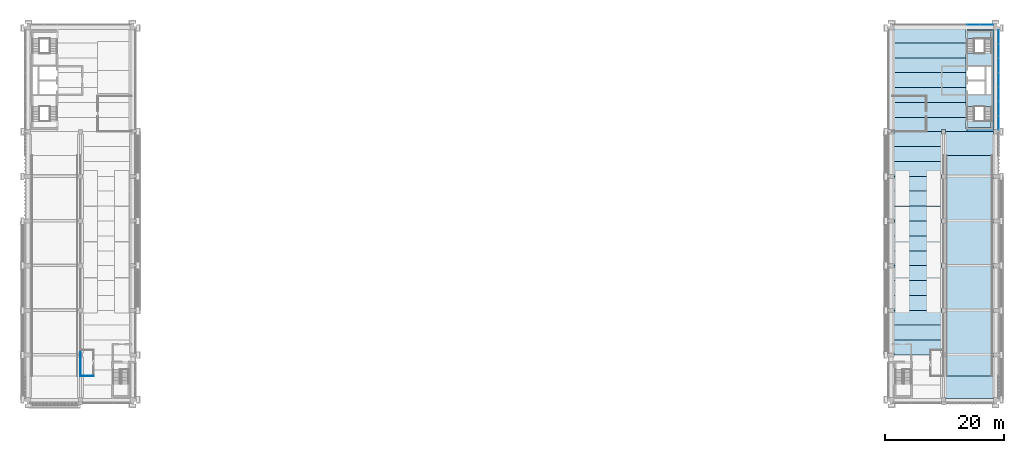
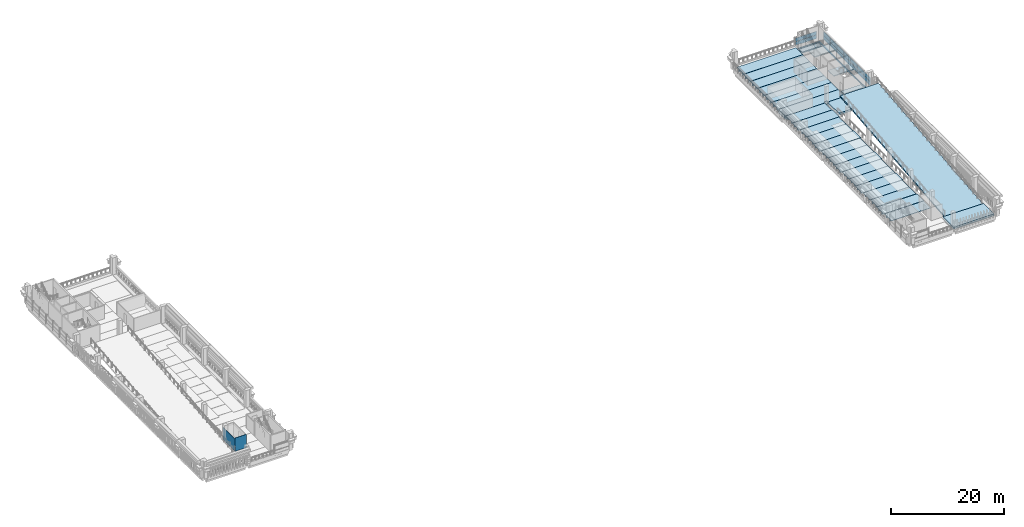
# One storey, part 8 of 25: 30 slabs, 18 plates, 2 walls, 4 elements without a shape of their own.
"""IFC4 building model written with IfcOpenShell, lengths in metres."""

from ifc_helpers import new_model, si_unit, direction, frame, frame_2d, origin, origin_2d, place, context, subcontext, project, spatial, polyline, rectangle, outline, extrude, material, layer, layer_set, material_profile, profile_set, type_object, element, aggregate, save


model = new_model("IFC4")

# Units and contexts
model_context = context("Model", 3, precision=1e-05, world=origin(), true_north=direction((0.0, 1.0)))
body_context = subcontext(model_context, "Body", "Model", "MODEL_VIEW")
ifc_project = project(units=[si_unit("LENGTHUNIT", "METRE"), si_unit("AREAUNIT", "SQUARE_METRE"), si_unit("VOLUMEUNIT", "CUBIC_METRE"), si_unit("PLANEANGLEUNIT", "RADIAN"), si_unit("MASSUNIT", "GRAM", prefix="KILO")], contexts=[model_context])

# Site, building, storey
site_placement = place(None, origin())
site = spatial("IfcSite", under=ifc_project, at=site_placement, CompositionType="ELEMENT")
building_placement = place(site_placement, origin())
building = spatial("IfcBuilding", under=site, at=building_placement, Name="Cour d'Honneur Mobility Palace", CompositionType="ELEMENT")
storey_placement = place(building_placement, frame((0.0, 0.0, 30.39990234375)))
storey = spatial("IfcBuildingStorey", under=building, at=storey_placement, Name="L08", CompositionType="ELEMENT", Elevation=30.39990234375)

# Slabs
ifc_material_1 = material(Name="Concrete C50", Category="concrete")
ifc_layer_1 = layer(ifc_material_1, 0.25)
ifc_layer_set_1 = layer_set([ifc_layer_1], Name="Concrete C50")
slab_type_1 = type_object("IfcSlabType", Name="Cast-in-place Slab 250", PredefinedType="FLOOR", material=ifc_layer_set_1)
slab_1_placement = place(storey_placement, frame((0.0, 0.0, -0.25)))
element("IfcSlab", 1, at=slab_1_placement, inside=storey, type_object=slab_type_1, Name="Cast-in-place slab S1 L08 core", PredefinedType="FLOOR", context=body_context, shape_type="SweptSolid", body=[
    extrude(outline(polyline([(161.949951171875, 62.050048828125), (162.050048828125, 62.050048828125), (162.050048828125, 45.35009765625), (161.949951171875, 45.35009765625), (161.949951171875, 45.0), (157.5, 45.0), (157.5, 45.449951171875), (161.85009765625, 45.449951171875), (161.85009765625, 61.949951171875), (157.5, 61.949951171875), (157.5, 62.125), (161.949951171875, 62.125), (161.949951171875, 62.050048828125)])), origin(), (0.0, 0.0, 1.0), 0.25),
])
slab_2_placement = place(storey_placement, frame((0.0, 0.0, -0.25)))
element("IfcSlab", 2, at=slab_2_placement, inside=storey, type_object=slab_type_1, Name="Cast-in-place slab S1 L08 core", PredefinedType="FLOOR", context=body_context, shape_type="SweptSolid", body=[
    extrude(outline(polyline([(157.625, 46.77490234375), (161.60009765625, 46.77490234375), (161.60009765625, 45.699951171875), (157.625, 45.699951171875), (157.625, 46.77490234375)])), origin(), (0.0, 0.0, 1.0), 0.25),
])
slab_3_placement = place(storey_placement, frame((0.0, 0.0, -0.25)))
element("IfcSlab", 3, at=slab_3_placement, inside=storey, type_object=slab_type_1, Name="Cast-in-place slab S1 L08 core", PredefinedType="FLOOR", context=body_context, shape_type="SweptSolid", body=[
    extrude(outline(polyline([(161.60009765625, 60.625), (157.625, 60.625), (157.625, 61.699951171875), (161.60009765625, 61.699951171875), (161.60009765625, 60.625)])), origin(), (0.0, 0.0, 1.0), 0.25),
])
ifc_material_2 = material(Name="Concrete C50", Category="concrete")
ifc_layer_2 = layer(ifc_material_2, 0.39990234375)
ifc_layer_set_2 = layer_set([ifc_layer_2], Name="Concrete C50")
slab_type_2 = type_object("IfcSlabType", Name="Cast-in-place Slab 400", PredefinedType="LANDING", material=ifc_layer_set_2)
slab_4_placement = place(storey_placement, frame((0.0, 0.0, -0.39990234375)))
element("IfcSlab", 4, at=slab_4_placement, inside=storey, type_object=slab_type_2, Name="Cast-in-place slab S3 L08 landing", PredefinedType="LANDING", context=body_context, shape_type="SweptSolid", body=[
    extrude(outline(polyline([(161.949951171875, 0.35009765625), (161.949951171875, 0.22509765625), (153.949951171875, 0.22509765625), (153.949951171875, 0.35009765625), (153.800048828125, 0.35009765625), (153.800048828125, 4.0), (162.10009765625, 4.0), (162.10009765625, 0.35009765625), (161.949951171875, 0.35009765625)])), origin(), (0.0, 0.0, 1.0), 0.39990234375),
])
slab_5_placement = place(storey_placement, frame((0.0, 0.0, -0.39990234375)))
element("IfcSlab", 5, at=slab_5_placement, inside=storey, type_object=slab_type_2, Name="Cast-in-place slab S3 L08 landing", PredefinedType="LANDING", context=body_context, shape_type="SweptSolid", body=[
    extrude(outline(polyline([(162.10009765625, 44.64990234375), (162.10009765625, 41.0), (153.800048828125, 41.0), (153.800048828125, 44.64990234375), (153.949951171875, 44.64990234375), (153.949951171875, 45.0), (161.949951171875, 45.0), (161.949951171875, 44.64990234375), (162.10009765625, 44.64990234375)])), origin(), (0.0, 0.0, 1.0), 0.39990234375),
])
ifc_material_3 = material(Name="Concrete C50", Category="concrete")
ifc_layer_3 = layer(ifc_material_3, 0.800048828125)
ifc_layer_set_3 = layer_set([ifc_layer_3], Name="Concrete C50")
slab_type_3 = type_object("IfcSlabType", Name="Cast-in-place Slab 800", PredefinedType="FLOOR", material=ifc_layer_set_3)
slab_6_placement = place(storey_placement, frame((0.0, 0.0, -0.7998046875)))
element("IfcSlab", 6, at=slab_6_placement, inside=storey, type_object=slab_type_3, Name="Cast-in-place slab S2 L08 closure", PredefinedType="FLOOR", context=body_context, shape_type="SweptSolid", body=[
    extrude(outline(polyline([(153.949951171875, 45.35009765625), (153.25, 45.35009765625), (153.25, 45.0), (145.25, 45.0), (145.25, 45.35009765625), (145.14990234375, 45.35009765625), (145.14990234375, 47.39990234375), (157.375, 47.39990234375), (157.375, 45.449951171875), (157.5, 45.449951171875), (157.5, 45.0), (153.949951171875, 45.0), (153.949951171875, 45.35009765625)])), origin(), (0.0, 0.0, 1.0), 0.7998046875),
])

# Curtain wall, plates
ifc_material_4 = material(Name="Aluminium and glass", Category="aluminium")
ifc_layer_4 = layer(ifc_material_4, 0.10009765625)
ifc_layer_set_4 = layer_set([ifc_layer_4], Name="Aluminium and glass")
curtain_wall_type = type_object("IfcCurtainWallType", Name="Curtain wall run", PredefinedType="NOTDEFINED", material=ifc_layer_set_4)
curtain_wall_1_placement = place(storey_placement, origin())
curtain_wall_1 = element("IfcCurtainWall", 7, at=curtain_wall_1_placement, inside=storey, type_object=curtain_wall_type, Name="Curtain wall CW-97", PredefinedType="NOTDEFINED")
ifc_material_5 = material(Name="Double glazing", Category="glass")
ifc_layer_5 = layer(ifc_material_5, 0.028076171875)
ifc_layer_set_5 = layer_set([ifc_layer_5], Name="Double glazing")
plate_type = type_object("IfcPlateType", Name="Curtain wall panel", PredefinedType="CURTAIN_PANEL", material=ifc_layer_set_5)
plate_1_placement = place(storey_placement, frame((162.85009765625, 46.514892578125, 0.06005859375), z_axis=(0.0, 0.0, 1.0), x_axis=(0.0, 1.0, 0.0)))
plate_1 = element("IfcPlate", 8, at=plate_1_placement, type_object=plate_type, Name="CW-97 panel 1.1", PredefinedType="CURTAIN_PANEL", context=body_context, shape_type="SweptSolid", body=[
    extrude(rectangle(XDim=2.31005859375, YDim=0.028076171875, at=origin_2d()), origin(), (0.0, 0.0, 1.0), 0.860107421875),
])
plate_2_placement = place(storey_placement, frame((162.85009765625, 46.514892578125, 0.97998046875), z_axis=(0.0, 0.0, 1.0), x_axis=(0.0, 1.0, 0.0)))
plate_2 = element("IfcPlate", 9, at=plate_2_placement, type_object=plate_type, Name="CW-97 panel 1.2", PredefinedType="CURTAIN_PANEL", context=body_context, shape_type="SweptSolid", body=[
    extrude(rectangle(XDim=2.31005859375, YDim=0.028076171875, at=origin_2d()), origin(), (0.0, 0.0, 1.0), 0.860107421875),
])
plate_3_placement = place(storey_placement, frame((162.85009765625, 48.89990234375, 0.06005859375), z_axis=(0.0, 0.0, 1.0), x_axis=(0.0, 1.0, 0.0)))
plate_3 = element("IfcPlate", 10, at=plate_3_placement, type_object=plate_type, Name="CW-97 panel 2.1", PredefinedType="CURTAIN_PANEL", context=body_context, shape_type="SweptSolid", body=[
    extrude(rectangle(XDim=2.340087890625, YDim=0.028076171875, at=origin_2d()), origin(), (0.0, 0.0, 1.0), 0.860107421875),
])
plate_4_placement = place(storey_placement, frame((162.85009765625, 48.89990234375, 0.97998046875), z_axis=(0.0, 0.0, 1.0), x_axis=(0.0, 1.0, 0.0)))
plate_4 = element("IfcPlate", 11, at=plate_4_placement, type_object=plate_type, Name="CW-97 panel 2.2", PredefinedType="CURTAIN_PANEL", context=body_context, shape_type="SweptSolid", body=[
    extrude(rectangle(XDim=2.340087890625, YDim=0.028076171875, at=origin_2d()), origin(), (0.0, 0.0, 1.0), 0.860107421875),
])
plate_5_placement = place(storey_placement, frame((162.85009765625, 51.300048828125, 0.06005859375), z_axis=(0.0, 0.0, 1.0), x_axis=(0.0, 1.0, 0.0)))
plate_5 = element("IfcPlate", 12, at=plate_5_placement, type_object=plate_type, Name="CW-97 panel 3.1", PredefinedType="CURTAIN_PANEL", context=body_context, shape_type="SweptSolid", body=[
    extrude(rectangle(XDim=2.340087890625, YDim=0.028076171875, at=origin_2d()), origin(), (0.0, 0.0, 1.0), 0.860107421875),
])
plate_6_placement = place(storey_placement, frame((162.85009765625, 51.300048828125, 0.97998046875), z_axis=(0.0, 0.0, 1.0), x_axis=(0.0, 1.0, 0.0)))
plate_6 = element("IfcPlate", 13, at=plate_6_placement, type_object=plate_type, Name="CW-97 panel 3.2", PredefinedType="CURTAIN_PANEL", context=body_context, shape_type="SweptSolid", body=[
    extrude(rectangle(XDim=2.340087890625, YDim=0.028076171875, at=origin_2d()), origin(), (0.0, 0.0, 1.0), 0.860107421875),
])
plate_7_placement = place(storey_placement, frame((162.85009765625, 53.699951171875, 0.06005859375), z_axis=(0.0, 0.0, 1.0), x_axis=(0.0, 1.0, 0.0)))
plate_7 = element("IfcPlate", 14, at=plate_7_placement, type_object=plate_type, Name="CW-97 panel 4.1", PredefinedType="CURTAIN_PANEL", context=body_context, shape_type="SweptSolid", body=[
    extrude(rectangle(XDim=2.340087890625, YDim=0.028076171875, at=origin_2d()), origin(), (0.0, 0.0, 1.0), 0.860107421875),
])
plate_8_placement = place(storey_placement, frame((162.85009765625, 53.699951171875, 0.97998046875), z_axis=(0.0, 0.0, 1.0), x_axis=(0.0, 1.0, 0.0)))
plate_8 = element("IfcPlate", 15, at=plate_8_placement, type_object=plate_type, Name="CW-97 panel 4.2", PredefinedType="CURTAIN_PANEL", context=body_context, shape_type="SweptSolid", body=[
    extrude(rectangle(XDim=2.340087890625, YDim=0.028076171875, at=origin_2d()), origin(), (0.0, 0.0, 1.0), 0.860107421875),
])
plate_9_placement = place(storey_placement, frame((162.85009765625, 56.10009765625, 0.06005859375), z_axis=(0.0, 0.0, 1.0), x_axis=(0.0, 1.0, 0.0)))
plate_9 = element("IfcPlate", 16, at=plate_9_placement, type_object=plate_type, Name="CW-97 panel 5.1", PredefinedType="CURTAIN_PANEL", context=body_context, shape_type="SweptSolid", body=[
    extrude(rectangle(XDim=2.340087890625, YDim=0.028076171875, at=origin_2d()), origin(), (0.0, 0.0, 1.0), 0.860107421875),
])
plate_10_placement = place(storey_placement, frame((162.85009765625, 56.10009765625, 0.97998046875), z_axis=(0.0, 0.0, 1.0), x_axis=(0.0, 1.0, 0.0)))
plate_10 = element("IfcPlate", 17, at=plate_10_placement, type_object=plate_type, Name="CW-97 panel 5.2", PredefinedType="CURTAIN_PANEL", context=body_context, shape_type="SweptSolid", body=[
    extrude(rectangle(XDim=2.340087890625, YDim=0.028076171875, at=origin_2d()), origin(), (0.0, 0.0, 1.0), 0.860107421875),
])
plate_11_placement = place(storey_placement, frame((162.85009765625, 58.5, 0.06005859375), z_axis=(0.0, 0.0, 1.0), x_axis=(0.0, 1.0, 0.0)))
plate_11 = element("IfcPlate", 18, at=plate_11_placement, type_object=plate_type, Name="CW-97 panel 6.1", PredefinedType="CURTAIN_PANEL", context=body_context, shape_type="SweptSolid", body=[
    extrude(rectangle(XDim=2.340087890625, YDim=0.028076171875, at=origin_2d()), origin(), (0.0, 0.0, 1.0), 0.860107421875),
])
plate_12_placement = place(storey_placement, frame((162.85009765625, 58.5, 0.97998046875), z_axis=(0.0, 0.0, 1.0), x_axis=(0.0, 1.0, 0.0)))
plate_12 = element("IfcPlate", 19, at=plate_12_placement, type_object=plate_type, Name="CW-97 panel 6.2", PredefinedType="CURTAIN_PANEL", context=body_context, shape_type="SweptSolid", body=[
    extrude(rectangle(XDim=2.340087890625, YDim=0.028076171875, at=origin_2d()), origin(), (0.0, 0.0, 1.0), 0.860107421875),
])
plate_13_placement = place(storey_placement, frame((162.85009765625, 60.885009765625, 0.06005859375), z_axis=(0.0, 0.0, 1.0), x_axis=(0.0, 1.0, 0.0)))
plate_13 = element("IfcPlate", 20, at=plate_13_placement, type_object=plate_type, Name="CW-97 panel 7.1", PredefinedType="CURTAIN_PANEL", context=body_context, shape_type="SweptSolid", body=[
    extrude(rectangle(XDim=2.31005859375, YDim=0.028076171875, at=origin_2d()), origin(), (0.0, 0.0, 1.0), 0.860107421875),
])
plate_14_placement = place(storey_placement, frame((162.85009765625, 60.885009765625, 0.97998046875), z_axis=(0.0, 0.0, 1.0), x_axis=(0.0, 1.0, 0.0)))
plate_14 = element("IfcPlate", 21, at=plate_14_placement, type_object=plate_type, Name="CW-97 panel 7.2", PredefinedType="CURTAIN_PANEL", context=body_context, shape_type="SweptSolid", body=[
    extrude(rectangle(XDim=2.31005859375, YDim=0.028076171875, at=origin_2d()), origin(), (0.0, 0.0, 1.0), 0.860107421875),
])
aggregate(curtain_wall_1, [plate_1, plate_2, plate_3, plate_4, plate_5, plate_6, plate_7, plate_8, plate_9, plate_10, plate_11, plate_12, plate_13, plate_14])

curtain_wall_2_placement = place(storey_placement, origin())
curtain_wall_2 = element("IfcCurtainWall", 22, at=curtain_wall_2_placement, inside=storey, type_object=curtain_wall_type, Name="Curtain wall CW-98", PredefinedType="NOTDEFINED")
plate_15_placement = place(storey_placement, frame((160.860107421875, 62.949951171875, 0.06005859375), z_axis=(0.0, 0.0, 1.0), x_axis=(-1.0, 0.0, 0.0)))
plate_15 = element("IfcPlate", 23, at=plate_15_placement, type_object=plate_type, Name="CW-98 panel 1.1", PredefinedType="CURTAIN_PANEL", context=body_context, shape_type="SweptSolid", body=[
    extrude(rectangle(XDim=2.159912109375, YDim=0.028076171875, at=origin_2d()), origin(), (0.0, 0.0, 1.0), 0.760009765625),
])
plate_16_placement = place(storey_placement, frame((160.860107421875, 62.949951171875, 0.8798828125), z_axis=(0.0, 0.0, 1.0), x_axis=(-1.0, 0.0, 0.0)))
plate_16 = element("IfcPlate", 24, at=plate_16_placement, type_object=plate_type, Name="CW-98 panel 1.2", PredefinedType="CURTAIN_PANEL", context=body_context, shape_type="SweptSolid", body=[
    extrude(rectangle(XDim=2.159912109375, YDim=0.028076171875, at=origin_2d()), origin(), (0.0, 0.0, 1.0), 0.760009765625),
])
plate_17_placement = place(storey_placement, frame((158.639892578125, 62.949951171875, 0.06005859375), z_axis=(0.0, 0.0, 1.0), x_axis=(-1.0, 0.0, 0.0)))
plate_17 = element("IfcPlate", 25, at=plate_17_placement, type_object=plate_type, Name="CW-98 panel 2.1", PredefinedType="CURTAIN_PANEL", context=body_context, shape_type="SweptSolid", body=[
    extrude(rectangle(XDim=2.159912109375, YDim=0.028076171875, at=origin_2d()), origin(), (0.0, 0.0, 1.0), 0.760009765625),
])
plate_18_placement = place(storey_placement, frame((158.639892578125, 62.949951171875, 0.8798828125), z_axis=(0.0, 0.0, 1.0), x_axis=(-1.0, 0.0, 0.0)))
plate_18 = element("IfcPlate", 26, at=plate_18_placement, type_object=plate_type, Name="CW-98 panel 2.2", PredefinedType="CURTAIN_PANEL", context=body_context, shape_type="SweptSolid", body=[
    extrude(rectangle(XDim=2.159912109375, YDim=0.028076171875, at=origin_2d()), origin(), (0.0, 0.0, 1.0), 0.760009765625),
])
aggregate(curtain_wall_2, [plate_15, plate_16, plate_17, plate_18])

# Slabs
ifc_material_6 = material(Name="Concrete C45", Category="concrete")
ifc_material_profile_1 = material_profile(ifc_material_6, outline(polyline([(-1.2451171875, 0.0), (1.2451171875, 0.0), (1.2451171875, -0.10009765625), (0.669921875, -0.10009765625), (0.64501953125, -0.5), (0.554931640625, -0.5), (0.530029296875, -0.10009765625), (-0.530029296875, -0.10009765625), (-0.554931640625, -0.5), (-0.64501953125, -0.5), (-0.669921875, -0.10009765625), (-1.2451171875, -0.10009765625), (-1.2451171875, 0.0)])), Name="DT 2490x500")
ifc_profile_set_1 = profile_set([ifc_material_profile_1], Name="Concrete C45")
slab_type_4 = type_object("IfcSlabType", Name="DT 2490x500", PredefinedType="FLOOR", material=ifc_profile_set_1)
slab_7_placement = place(storey_placement, frame((145.25, 8.75, 0.0), z_axis=(1.0, 0.0, 0.0), x_axis=(0.0, 1.0, 0.0)))
element("IfcSlab", 27, at=slab_7_placement, inside=storey, type_object=slab_type_4, Name="Double tee DT-SE4 L08", PredefinedType="FLOOR", context=body_context, shape_type="SweptSolid", body=[
    extrude(outline(polyline([(-1.2451171875, 0.0), (1.2451171875, 0.0), (1.2451171875, -0.10009765625), (0.669921875, -0.10009765625), (0.64501953125, -0.5), (0.554931640625, -0.5), (0.530029296875, -0.10009765625), (-0.530029296875, -0.10009765625), (-0.554931640625, -0.5), (-0.64501953125, -0.5), (-0.669921875, -0.10009765625), (-1.2451171875, -0.10009765625), (-1.2451171875, 0.0)])), origin(), (0.0, 0.0, 1.0), 8.0),
])
slab_8_placement = place(storey_placement, frame((145.10009765625, 11.25, 0.0), z_axis=(1.0, 0.0, 0.0), x_axis=(0.0, 1.0, 0.0)))
element("IfcSlab", 28, at=slab_8_placement, inside=storey, type_object=slab_type_4, Name="Double tee DT-SE5 L08", PredefinedType="FLOOR", context=body_context, shape_type="SweptSolid", body=[
    extrude(outline(polyline([(-1.2451171875, 0.0), (1.2451171875, 0.0), (1.2451171875, -0.10009765625), (0.669921875, -0.10009765625), (0.64501953125, -0.5), (0.554931640625, -0.5), (0.530029296875, -0.10009765625), (-0.530029296875, -0.10009765625), (-0.554931640625, -0.5), (-0.64501953125, -0.5), (-0.669921875, -0.10009765625), (-1.2451171875, -0.10009765625), (-1.2451171875, 0.0)])), origin(), (0.0, 0.0, 1.0), 8.2998046875),
])
for number, where, z_axis, x_axis, name in (
    (29, (145.25, 13.75, 0.0), (1.0, 0.0, 0.0), (0.0, 1.0, 0.0), "Double tee DT-SE6 L08"),
    (30, (145.25, 16.25, 0.0), (1.0, 0.0, 0.0), (0.0, 1.0, 0.0), "Double tee DT-SE7 L08"),
):
    element("IfcSlab", number, at=place(storey_placement, frame(where, z_axis=z_axis, x_axis=x_axis)), inside=storey, type_object=slab_type_4, Name=name, PredefinedType="FLOOR", context=body_context, shape_type="SweptSolid", body=[
        extrude(outline(polyline([(-1.2451171875, 0.0), (1.2451171875, 0.0), (1.2451171875, -0.10009765625), (0.669921875, -0.10009765625), (0.64501953125, -0.5), (0.554931640625, -0.5), (0.530029296875, -0.10009765625), (-0.530029296875, -0.10009765625), (-0.554931640625, -0.5), (-0.64501953125, -0.5), (-0.669921875, -0.10009765625), (-1.2451171875, -0.10009765625), (-1.2451171875, 0.0)])), origin(), (0.0, 0.0, 1.0), 8.0),
    ])
slab_9_placement = place(storey_placement, frame((145.10009765625, 18.75, 0.0), z_axis=(1.0, 0.0, 0.0), x_axis=(0.0, 1.0, 0.0)))
element("IfcSlab", 31, at=slab_9_placement, inside=storey, type_object=slab_type_4, Name="Double tee DT-SE8 L08", PredefinedType="FLOOR", context=body_context, shape_type="SweptSolid", body=[
    extrude(outline(polyline([(-1.2451171875, 0.0), (1.2451171875, 0.0), (1.2451171875, -0.10009765625), (0.669921875, -0.10009765625), (0.64501953125, -0.5), (0.554931640625, -0.5), (0.530029296875, -0.10009765625), (-0.530029296875, -0.10009765625), (-0.554931640625, -0.5), (-0.64501953125, -0.5), (-0.669921875, -0.10009765625), (-1.2451171875, -0.10009765625), (-1.2451171875, 0.0)])), origin(), (0.0, 0.0, 1.0), 8.2998046875),
])
for number, where, z_axis, x_axis, name in (
    (32, (145.25, 21.25, 0.0), (1.0, 0.0, 0.0), (0.0, 1.0, 0.0), "Double tee DT-SE9 L08"),
    (33, (145.25, 23.75, 0.0), (1.0, 0.0, 0.0), (0.0, 1.0, 0.0), "Double tee DT-SE10 L08"),
):
    element("IfcSlab", number, at=place(storey_placement, frame(where, z_axis=z_axis, x_axis=x_axis)), inside=storey, type_object=slab_type_4, Name=name, PredefinedType="FLOOR", context=body_context, shape_type="SweptSolid", body=[
        extrude(outline(polyline([(-1.2451171875, 0.0), (1.2451171875, 0.0), (1.2451171875, -0.10009765625), (0.669921875, -0.10009765625), (0.64501953125, -0.5), (0.554931640625, -0.5), (0.530029296875, -0.10009765625), (-0.530029296875, -0.10009765625), (-0.554931640625, -0.5), (-0.64501953125, -0.5), (-0.669921875, -0.10009765625), (-1.2451171875, -0.10009765625), (-1.2451171875, 0.0)])), origin(), (0.0, 0.0, 1.0), 8.0),
    ])
slab_10_placement = place(storey_placement, frame((145.10009765625, 26.25, 0.0), z_axis=(1.0, 0.0, 0.0), x_axis=(0.0, 1.0, 0.0)))
element("IfcSlab", 34, at=slab_10_placement, inside=storey, type_object=slab_type_4, Name="Double tee DT-SE11 L08", PredefinedType="FLOOR", context=body_context, shape_type="SweptSolid", body=[
    extrude(outline(polyline([(-1.2451171875, 0.0), (1.2451171875, 0.0), (1.2451171875, -0.10009765625), (0.669921875, -0.10009765625), (0.64501953125, -0.5), (0.554931640625, -0.5), (0.530029296875, -0.10009765625), (-0.530029296875, -0.10009765625), (-0.554931640625, -0.5), (-0.64501953125, -0.5), (-0.669921875, -0.10009765625), (-1.2451171875, -0.10009765625), (-1.2451171875, 0.0)])), origin(), (0.0, 0.0, 1.0), 8.2998046875),
])
for number, where, z_axis, x_axis, name in (
    (35, (145.25, 28.75, 0.0), (1.0, 0.0, 0.0), (0.0, 1.0, 0.0), "Double tee DT-SE12 L08"),
    (36, (145.25, 31.25, 0.0), (1.0, 0.0, 0.0), (0.0, 1.0, 0.0), "Double tee DT-SE13 L08"),
):
    element("IfcSlab", number, at=place(storey_placement, frame(where, z_axis=z_axis, x_axis=x_axis)), inside=storey, type_object=slab_type_4, Name=name, PredefinedType="FLOOR", context=body_context, shape_type="SweptSolid", body=[
        extrude(outline(polyline([(-1.2451171875, 0.0), (1.2451171875, 0.0), (1.2451171875, -0.10009765625), (0.669921875, -0.10009765625), (0.64501953125, -0.5), (0.554931640625, -0.5), (0.530029296875, -0.10009765625), (-0.530029296875, -0.10009765625), (-0.554931640625, -0.5), (-0.64501953125, -0.5), (-0.669921875, -0.10009765625), (-1.2451171875, -0.10009765625), (-1.2451171875, 0.0)])), origin(), (0.0, 0.0, 1.0), 8.0),
    ])
slab_11_placement = place(storey_placement, frame((145.10009765625, 33.75, 0.0), z_axis=(1.0, 0.0, 0.0), x_axis=(0.0, 1.0, 0.0)))
element("IfcSlab", 37, at=slab_11_placement, inside=storey, type_object=slab_type_4, Name="Double tee DT-SE14 L08", PredefinedType="FLOOR", context=body_context, shape_type="SweptSolid", body=[
    extrude(outline(polyline([(-1.2451171875, 0.0), (1.2451171875, 0.0), (1.2451171875, -0.10009765625), (0.669921875, -0.10009765625), (0.64501953125, -0.5), (0.554931640625, -0.5), (0.530029296875, -0.10009765625), (-0.530029296875, -0.10009765625), (-0.554931640625, -0.5), (-0.64501953125, -0.5), (-0.669921875, -0.10009765625), (-1.2451171875, -0.10009765625), (-1.2451171875, 0.0)])), origin(), (0.0, 0.0, 1.0), 8.2998046875),
])
for number, where, z_axis, x_axis, name in (
    (38, (145.25, 36.25, 0.0), (1.0, 0.0, 0.0), (0.0, 1.0, 0.0), "Double tee DT-SE15 L08"),
    (39, (145.25, 38.75, 0.0), (1.0, 0.0, 0.0), (0.0, 1.0, 0.0), "Double tee DT-SE16 L08"),
):
    element("IfcSlab", number, at=place(storey_placement, frame(where, z_axis=z_axis, x_axis=x_axis)), inside=storey, type_object=slab_type_4, Name=name, PredefinedType="FLOOR", context=body_context, shape_type="SweptSolid", body=[
        extrude(outline(polyline([(-1.2451171875, 0.0), (1.2451171875, 0.0), (1.2451171875, -0.10009765625), (0.669921875, -0.10009765625), (0.64501953125, -0.5), (0.554931640625, -0.5), (0.530029296875, -0.10009765625), (-0.530029296875, -0.10009765625), (-0.554931640625, -0.5), (-0.64501953125, -0.5), (-0.669921875, -0.10009765625), (-1.2451171875, -0.10009765625), (-1.2451171875, 0.0)])), origin(), (0.0, 0.0, 1.0), 8.0),
    ])
slab_12_placement = place(storey_placement, frame((145.10009765625, 41.25, 0.0), z_axis=(1.0, 0.0, 0.0), x_axis=(0.0, 1.0, 0.0)))
element("IfcSlab", 40, at=slab_12_placement, inside=storey, type_object=slab_type_4, Name="Double tee DT-SE17 L08", PredefinedType="FLOOR", context=body_context, shape_type="SweptSolid", body=[
    extrude(outline(polyline([(-1.2451171875, 0.0), (1.2451171875, 0.0), (1.2451171875, -0.10009765625), (0.669921875, -0.10009765625), (0.64501953125, -0.5), (0.554931640625, -0.5), (0.530029296875, -0.10009765625), (-0.530029296875, -0.10009765625), (-0.554931640625, -0.5), (-0.64501953125, -0.5), (-0.669921875, -0.10009765625), (-1.2451171875, -0.10009765625), (-1.2451171875, 0.0)])), origin(), (0.0, 0.0, 1.0), 8.2998046875),
])
slab_13_placement = place(storey_placement, frame((145.25, 43.75, 0.0), z_axis=(1.0, 0.0, 0.0), x_axis=(0.0, 1.0, 0.0)))
element("IfcSlab", 41, at=slab_13_placement, inside=storey, type_object=slab_type_4, Name="Double tee DT-SE18 L08", PredefinedType="FLOOR", context=body_context, shape_type="SweptSolid", body=[
    extrude(outline(polyline([(-1.2451171875, 0.0), (1.2451171875, 0.0), (1.2451171875, -0.10009765625), (0.669921875, -0.10009765625), (0.64501953125, -0.5), (0.554931640625, -0.5), (0.530029296875, -0.10009765625), (-0.530029296875, -0.10009765625), (-0.554931640625, -0.5), (-0.64501953125, -0.5), (-0.669921875, -0.10009765625), (-1.2451171875, -0.10009765625), (-1.2451171875, 0.0)])), origin(), (0.0, 0.0, 1.0), 8.0),
])
ifc_material_7 = material(Name="Concrete C45", Category="concrete")
ifc_material_profile_2 = material_profile(ifc_material_7, outline(polyline([(-1.2451171875, 0.0), (1.2451171875, 0.0), (1.2451171875, -0.10009765625), (0.679931640625, -0.10009765625), (0.64990234375, -0.64990234375), (0.550048828125, -0.64990234375), (0.52001953125, -0.10009765625), (-0.52001953125, -0.10009765625), (-0.550048828125, -0.64990234375), (-0.64990234375, -0.64990234375), (-0.679931640625, -0.10009765625), (-1.2451171875, -0.10009765625), (-1.2451171875, 0.0)])), Name="DT 2490x650")
ifc_profile_set_2 = profile_set([ifc_material_profile_2], Name="Concrete C45")
slab_type_5 = type_object("IfcSlabType", Name="DT 2490x650", PredefinedType="FLOOR", material=ifc_profile_set_2)
for number, where, z_axis, x_axis, name in (
    (42, (145.14990234375, 48.64990234375, 0.0), (1.0, 0.0, 0.0), (0.0, 1.0, 0.0), "Double tee DT-JE1 L08"),
    (43, (145.14990234375, 51.14990234375, 0.0), (1.0, 0.0, 0.0), (0.0, 1.0, 0.0), "Double tee DT-JE2 L08"),
    (44, (145.14990234375, 53.64990234375, 0.0), (1.0, 0.0, 0.0), (0.0, 1.0, 0.0), "Double tee DT-JE3 L08"),
    (45, (145.14990234375, 56.14990234375, 0.0), (1.0, 0.0, 0.0), (0.0, 1.0, 0.0), "Double tee DT-JE4 L08"),
    (46, (145.14990234375, 58.64990234375, 0.0), (1.0, 0.0, 0.0), (0.0, 1.0, 0.0), "Double tee DT-JE5 L08"),
):
    element("IfcSlab", number, at=place(storey_placement, frame(where, z_axis=z_axis, x_axis=x_axis)), inside=storey, type_object=slab_type_5, Name=name, PredefinedType="FLOOR", context=body_context, shape_type="SweptSolid", body=[
        extrude(outline(polyline([(-1.2451171875, 0.0), (1.2451171875, 0.0), (1.2451171875, -0.10009765625), (0.679931640625, -0.10009765625), (0.64990234375, -0.64990234375), (0.550048828125, -0.64990234375), (0.52001953125, -0.10009765625), (-0.52001953125, -0.10009765625), (-0.550048828125, -0.64990234375), (-0.64990234375, -0.64990234375), (-0.679931640625, -0.10009765625), (-1.2451171875, -0.10009765625), (-1.2451171875, 0.0)])), origin(), (0.0, 0.0, 1.0), 12.22509765625),
    ])
slab_14_placement = place(storey_placement, frame((145.25, 61.14990234375, 0.0), z_axis=(1.0, 0.0, 0.0), x_axis=(0.0, 1.0, 0.0)))
element("IfcSlab", 47, at=slab_14_placement, inside=storey, type_object=slab_type_5, Name="Double tee DT-JE6 L08", PredefinedType="FLOOR", context=body_context, shape_type="SweptSolid", body=[
    extrude(outline(polyline([(-1.2451171875, 0.0), (1.2451171875, 0.0), (1.2451171875, -0.10009765625), (0.679931640625, -0.10009765625), (0.64990234375, -0.64990234375), (0.550048828125, -0.64990234375), (0.52001953125, -0.10009765625), (-0.52001953125, -0.10009765625), (-0.550048828125, -0.64990234375), (-0.64990234375, -0.64990234375), (-0.679931640625, -0.10009765625), (-1.2451171875, -0.10009765625), (-1.2451171875, 0.0)])), origin(), (0.0, 0.0, 1.0), 12.125),
])

# Stair, slab
ifc_material_8 = material(Name="Concrete C50", Category="concrete")
stair_type = type_object("IfcStairType", Name="Stair 20 risers", PredefinedType="HALF_TURN_STAIR", material=ifc_material_8)
stair_1_placement = place(storey_placement, origin())
stair_1 = element("IfcStair", 48, at=stair_1_placement, inside=storey, type_object=stair_type, Name="Stair ST-CE1", PredefinedType="HALF_TURN_STAIR")
ifc_material_9 = material(Name="Concrete C50", Category="concrete")
ifc_layer_6 = layer(ifc_material_9, 0.199951171875)
ifc_layer_set_6 = layer_set([ifc_layer_6], Name="Concrete C50")
slab_type_6 = type_object("IfcSlabType", Name="Stair landing", PredefinedType="LANDING", material=ifc_layer_set_6)
slab_15_placement = place(storey_placement, frame((0.0, 0.0, 1.650146484375)))
slab_15 = element("IfcSlab", 49, at=slab_15_placement, type_object=slab_type_6, Name="ST-CE1 landing 1", PredefinedType="LANDING", context=body_context, shape_type="SweptSolid", body=[
    extrude(outline(polyline([(157.5, 49.205078125), (161.72509765625, 49.205078125), (161.72509765625, 51.199951171875), (157.5, 51.199951171875), (157.5, 49.205078125)])), origin(), (0.0, 0.0, 1.0), 0.199951171875),
])
aggregate(stair_1, [slab_15])

stair_2_placement = place(storey_placement, origin())
stair_2 = element("IfcStair", 50, at=stair_2_placement, inside=storey, type_object=stair_type, Name="Stair ST-CE2", PredefinedType="HALF_TURN_STAIR")
slab_16_placement = place(storey_placement, frame((0.0, 0.0, 1.650146484375)))
slab_16 = element("IfcSlab", 51, at=slab_16_placement, type_object=slab_type_6, Name="ST-CE2 landing 1", PredefinedType="LANDING", context=body_context, shape_type="SweptSolid", body=[
    extrude(outline(polyline([(157.5, 56.0), (161.72509765625, 56.0), (161.72509765625, 58.195068359375), (157.5, 58.195068359375), (157.5, 56.0)])), origin(), (0.0, 0.0, 1.0), 0.199951171875),
])
aggregate(stair_2, [slab_16])

# Slab
ifc_material_10 = material(Name="Concrete C45", Category="concrete")
ifc_layer_7 = layer(ifc_material_10, 0.300048828125)
ifc_layer_set_7 = layer_set([ifc_layer_7], Name="Concrete C45")
slab_type_7 = type_object("IfcSlabType", Name="Vehicle ramp slab 300", PredefinedType="USERDEFINED", material=ifc_layer_set_7)
slab_17_placement = place(storey_placement, frame((154.10009765625, 4.0, 0.0), z_axis=(0.0, -0.099508919531, 0.995036670145), x_axis=(1.0, 0.0, 0.0)))
element("IfcSlab", 52, at=slab_17_placement, inside=storey, type_object=slab_type_7, Name="Vehicle ramp East 9 slab", ObjectType="VEHICLE RAMP SLAB", PredefinedType="USERDEFINED", context=body_context, shape_type="SweptSolid", body=[
    extrude(outline(polyline([(0.0, 0.0), (7.849853515625, 0.0), (7.849853515625, 37.184559232975275), (0.0, 37.184559232975275), (0.0, 0.0)])), origin(), (0.0, 0.0, -1.0), 0.300048828125),
])

# Walls
ifc_material_11 = material(Name="Gypsum plasterboard")
ifc_layer_8 = layer(ifc_material_11, 0.10009765625)
ifc_layer_set_8 = layer_set([ifc_layer_8], Name="Gypsum plasterboard")
wall_type_1 = type_object("IfcWallType", Name="Partition 100", PredefinedType="PARTITIONING", material=ifc_layer_set_8)
wall_1_placement = place(storey_placement, frame((8.64990234375, 4.0, 0.0), z_axis=(0.0, 0.0, 1.0), x_axis=(1.0, 0.0, 0.0)))
element("IfcWall", 53, at=wall_1_placement, inside=storey, type_object=wall_type_1, Name="Partition 001", PredefinedType="PARTITIONING", context=body_context, shape_type="SweptSolid", body=[
    extrude(rectangle(XDim=2.300048828125, YDim=0.10009765625, at=frame_2d((1.14990234375, 0.0))), origin(), (0.0, 0.0, 1.0), 2.880126953125),
])
ifc_material_12 = material(Name="Gypsum plasterboard")
ifc_layer_9 = layer(ifc_material_12, 0.10009765625)
ifc_layer_set_9 = layer_set([ifc_layer_9], Name="Gypsum plasterboard")
wall_type_2 = type_object("IfcWallType", Name="Partition 100 under beam 1100", PredefinedType="PARTITIONING", material=ifc_layer_set_9)
wall_2_placement = place(storey_placement, frame((8.699951171875, 8.300048828125, 0.0), z_axis=(0.0, 0.0, 1.0), x_axis=(0.0, -1.0, 0.0)))
element("IfcWall", 54, at=wall_2_placement, inside=storey, type_object=wall_type_2, Name="Partition 008", PredefinedType="PARTITIONING", context=body_context, shape_type="SweptSolid", body=[
    extrude(rectangle(XDim=4.25, YDim=0.10009765625, at=frame_2d((2.125, 0.0))), origin(), (0.0, 0.0, 1.0), 2.60009765625),
])

save(model, "model.ifc")
